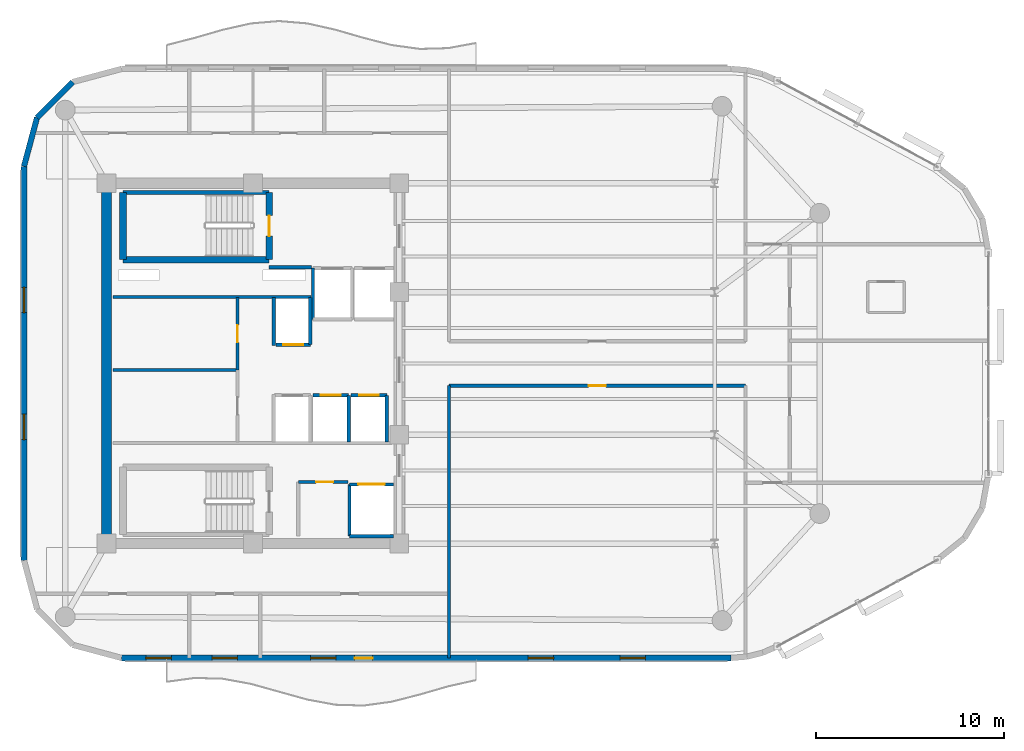
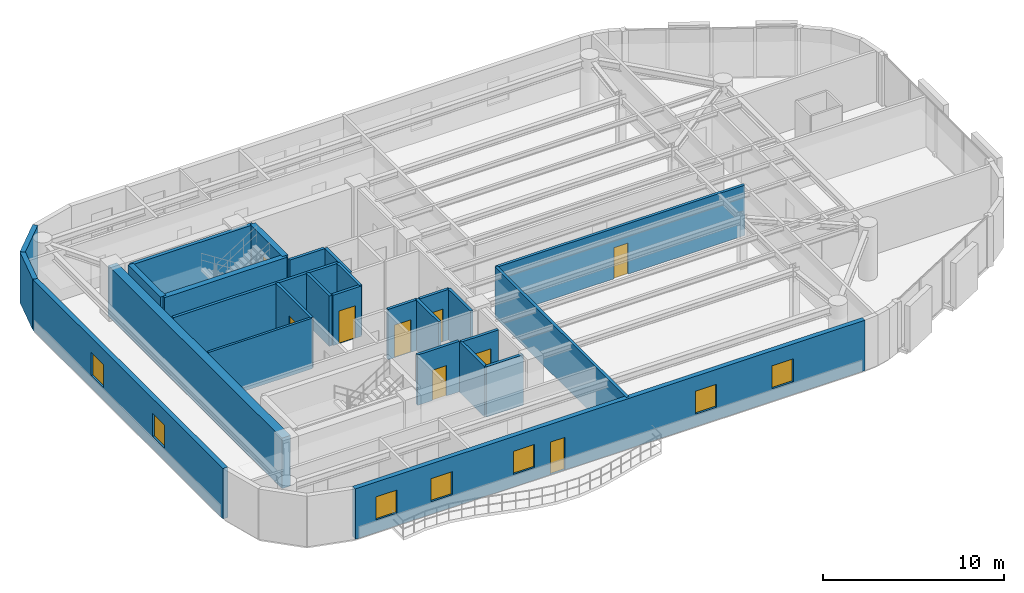
# One storey, part 9 of 13: 27 walls, 9 doors, 7 windows, 16 openings.
"""IFC4 building model written with IfcOpenShell, lengths in metres."""

from ifc_helpers import new_model, si_unit, direction, frame, frame_2d, origin, place, context, subcontext, project, spatial, rectangle, extrude, material, layer, layer_set, type_object, element, fill, save


model = new_model("IFC4")

# Units and contexts
model_context = context("Model", 3, precision=1e-05, world=origin(), true_north=direction((0.0, 1.0)))
body_context = subcontext(model_context, "Body", "Model", "MODEL_VIEW")
ifc_project = project(units=[si_unit("LENGTHUNIT", "METRE"), si_unit("AREAUNIT", "SQUARE_METRE"), si_unit("VOLUMEUNIT", "CUBIC_METRE"), si_unit("PLANEANGLEUNIT", "RADIAN"), si_unit("MASSUNIT", "GRAM", prefix="KILO")], contexts=[model_context])

# Site, building, storey
site_placement = place(None, origin())
site = spatial("IfcSite", under=ifc_project, at=site_placement, CompositionType="ELEMENT")
building_placement = place(site_placement, origin())
building = spatial("IfcBuilding", under=site, at=building_placement, Name="An Khanh Terracotta Commons", CompositionType="ELEMENT")
storey_placement = place(building_placement, frame((0.0, 0.0, 226.5)))
storey = spatial("IfcBuildingStorey", under=building, at=storey_placement, Name="L59", CompositionType="ELEMENT", Elevation=226.5)

# Walls
ifc_material_1 = material(Name="Concrete C50/60", Category="concrete")
ifc_layer_1 = layer(ifc_material_1, 0.550048828125, Name="Concrete C50/60")
ifc_layer_set_1 = layer_set([ifc_layer_1], Name="Concrete C50/60")
wall_type_1 = type_object("IfcWallType", Name="WALL-CORE-550", PredefinedType="SHEAR", material=ifc_layer_set_1)
wall_1_placement = place(storey_placement, frame((21.60009765625, 14.39990234375, 0.0), z_axis=(0.0, 0.0, 1.0), x_axis=(0.0, 1.0, 0.0)))
element("IfcWall", 1, at=wall_1_placement, inside=storey, type_object=wall_type_1, Name="L59 Core Wall CWALL-L59-W", PredefinedType="SHEAR", context=body_context, shape_type="SweptSolid", body=[
    extrude(rectangle(XDim=19.2001953125, YDim=0.550048828125, at=frame_2d((9.60009765625, 0.0))), origin(), (0.0, 0.0, 1.0), 3.39990234375),
])
ifc_material_2 = material(Name="Fire-Rated Gypsum Board on Steel Stud", Category="steel")
ifc_layer_2 = layer(ifc_material_2, 0.179931640625, Name="Fire-Rated Gypsum Board on Steel Stud")
ifc_layer_set_2 = layer_set([ifc_layer_2], Name="Fire-Rated Gypsum Board on Steel Stud")
wall_type_2 = type_object("IfcWallType", Name="WALL-CORR-180", PredefinedType="PARTITIONING", material=ifc_layer_set_2)
wall_2_placement = place(storey_placement, frame((30.27001953125, 29.1201171875, 0.0), z_axis=(0.0, 0.0, 1.0), x_axis=(1.0, 0.0, 0.0)))
element("IfcWall", 2, at=wall_2_placement, inside=storey, type_object=wall_type_2, Name="L59 Core Wall FFLW-L59-S", PredefinedType="PARTITIONING", context=body_context, shape_type="SweptSolid", body=[
    extrude(rectangle(XDim=2.239990234375, YDim=0.179931640625, at=frame_2d((1.1201171875, 0.0))), origin(), (0.0, 0.0, 1.0), 3.39990234375),
])
wall_3_placement = place(storey_placement, frame((21.949951171875, 27.5400390625, 0.0), z_axis=(0.0, 0.0, 1.0), x_axis=(1.0, 0.0, 0.0)))
element("IfcWall", 3, at=wall_3_placement, inside=storey, type_object=wall_type_2, Name="L59 Core Wall RSRW-L59-S", PredefinedType="PARTITIONING", context=body_context, shape_type="SweptSolid", body=[
    extrude(rectangle(XDim=10.56005859375, YDim=0.179931640625, at=frame_2d((5.280029296875, 0.0))), origin(), (0.0, 0.0, 1.0), 3.39990234375),
])

# Wall, opening, door
wall_4_placement = place(storey_placement, frame((31.820068359375, 17.679931640625, 0.0), z_axis=(0.0, 0.0, 1.0), x_axis=(1.0, 0.0, 0.0)))
wall_4 = element("IfcWall", 4, at=wall_4_placement, inside=storey, type_object=wall_type_2, Name="L59 Core Wall SSVCW-L59-N", PredefinedType="PARTITIONING", context=body_context, shape_type="SweptSolid", body=[
    extrude(rectangle(XDim=2.659912109375, YDim=0.179931640625, at=frame_2d((1.330078125, 0.0))), origin(), (0.0, 0.0, 1.0), 3.39990234375),
])
opening_1_placement = place(wall_4_placement, frame((0.949951171875, 0.0, 0.0)))
opening_1 = element("IfcOpeningElement", 5, at=opening_1_placement, cuts=wall_4, Name="Opening D-SV", PredefinedType="OPENING", context=body_context, shape_type="SweptSolid", body=[
    extrude(rectangle(XDim=0.89990234375, YDim=2.050048828125, at=frame_2d((0.449951171875, 1.02490234375))), frame((0.0, 0.099853515625, 0.0), z_axis=(0.0, -1.0, 0.0), x_axis=(1.0, 0.0, 0.0)), (0.0, 0.0, 1.0), 0.199951171875),
])
ifc_material_3 = material(Name="Fire-Rated Powder-Coated Steel Door", Category="steel")
door_type_1 = type_object("IfcDoorType", Name="DOOR-SERV-900", OperationType="NOTDEFINED", PredefinedType="DOOR", material=ifc_material_3)
door_1_placement = place(opening_1_placement, origin())
door_1 = element("IfcDoor", 6, at=door_1_placement, inside=storey, type_object=door_type_1, Name="L59 Electrical Switch Cupboard Door", OperationType="SINGLE_SWING_LEFT", OverallHeight=2.050048828125, OverallWidth=0.89990234375, PredefinedType="DOOR", context=body_context, shape_type="SweptSolid", body=[
    extrude(rectangle(XDim=0.89990234375, YDim=2.050048828125, at=frame_2d((0.449951171875, 1.02490234375))), frame((0.0, 0.02490234375, 0.0), z_axis=(0.0, -1.0, 0.0), x_axis=(1.0, 0.0, 0.0)), (0.0, 0.0, 1.0), 0.050048828125),
])
fill(opening_1, door_1)

# Wall
wall_5_placement = place(storey_placement, frame((32.60009765625, 29.080078125, 0.0), z_axis=(0.0, 0.0, 1.0), x_axis=(0.0, -1.0, 0.0)))
element("IfcWall", 7, at=wall_5_placement, inside=storey, type_object=wall_type_2, Name="L59 Core Wall LSH-L59-FFL-01-W", PredefinedType="PARTITIONING", context=body_context, shape_type="SweptSolid", body=[
    extrude(rectangle(XDim=2.72998046875, YDim=0.179931640625, at=frame_2d((1.364990234375, 0.0))), origin(), (0.0, 0.0, 1.0), 3.39990234375),
])

# Wall, opening, door
wall_6_placement = place(storey_placement, frame((34.550048828125, 17.550048828125, 0.0), z_axis=(0.0, 0.0, 1.0), x_axis=(1.0, 0.0, 0.0)))
wall_6 = element("IfcWall", 8, at=wall_6_placement, inside=storey, type_object=wall_type_2, Name="L59 Core Wall LSH-L59-SVL-01-N", PredefinedType="PARTITIONING", context=body_context, shape_type="SweptSolid", body=[
    extrude(rectangle(XDim=2.349853515625, YDim=0.179931640625, at=frame_2d((1.1748046875, 0.0))), origin(), (0.0, 0.0, 1.0), 3.39990234375),
])
opening_2_placement = place(wall_6_placement, frame((0.47509765625, 0.0, 0.0)))
opening_2 = element("IfcOpeningElement", 9, at=opening_2_placement, cuts=wall_6, Name="Opening LD-SVL-01-L59", PredefinedType="OPENING", context=body_context, shape_type="SweptSolid", body=[
    extrude(rectangle(XDim=1.39990234375, YDim=2.300048828125, at=frame_2d((0.699951171875, 1.14990234375))), frame((0.0, 0.099853515625, 0.0), z_axis=(0.0, -1.0, 0.0), x_axis=(1.0, 0.0, 0.0)), (0.0, 0.0, 1.0), 0.199951171875),
])
ifc_material_4 = material(Name="Heavy-Duty Stainless Steel Goods Landing Door", Category="steel")
door_type_2 = type_object("IfcDoorType", Name="DOOR-LD-SVL-1400", OperationType="NOTDEFINED", PredefinedType="DOOR", material=ifc_material_4)
door_2_placement = place(opening_2_placement, origin())
door_2 = element("IfcDoor", 10, at=door_2_placement, inside=storey, type_object=door_type_2, Name="L59 Lift SVL-01 Sliding Landing Door", OperationType="DOUBLE_DOOR_SLIDING", OverallHeight=2.300048828125, OverallWidth=1.39990234375, PredefinedType="DOOR", context=body_context, shape_type="SweptSolid", body=[
    extrude(rectangle(XDim=1.39990234375, YDim=2.300048828125, at=frame_2d((0.699951171875, 1.14990234375))), frame((0.0, 0.02490234375, 0.0), z_axis=(0.0, -1.0, 0.0), x_axis=(1.0, 0.0, 0.0)), (0.0, 0.0, 1.0), 0.050048828125),
])
fill(opening_2, door_2)

# Walls
wall_7_placement = place(storey_placement, frame((36.89990234375, 14.800048828125, 0.0), z_axis=(0.0, 0.0, 1.0), x_axis=(-1.0, 0.0, 0.0)))
element("IfcWall", 11, at=wall_7_placement, inside=storey, type_object=wall_type_2, Name="L59 Core Wall LSH-L59-SVL-01-S", PredefinedType="PARTITIONING", context=body_context, shape_type="SweptSolid", body=[
    extrude(rectangle(XDim=2.349853515625, YDim=0.179931640625, at=frame_2d((1.1748046875, 0.0))), origin(), (0.0, 0.0, 1.0), 3.39990234375),
])
wall_8_placement = place(storey_placement, frame((34.550048828125, 17.550048828125, 0.0), z_axis=(0.0, 0.0, 1.0), x_axis=(0.0, -1.0, 0.0)))
element("IfcWall", 12, at=wall_8_placement, inside=storey, type_object=wall_type_2, Name="L59 Core Wall LSH-L59-SVL-01-W", PredefinedType="PARTITIONING", context=body_context, shape_type="SweptSolid", body=[
    extrude(rectangle(XDim=2.75, YDim=0.179931640625, at=frame_2d((1.375, 0.0))), origin(), (0.0, 0.0, 1.0), 3.39990234375),
])

# Wall, opening, door
wall_9_placement = place(storey_placement, frame((32.4599609375, 25.0, 0.0), z_axis=(0.0, 0.0, 1.0), x_axis=(-1.0, 0.0, 0.0)))
wall_9 = element("IfcWall", 13, at=wall_9_placement, inside=storey, type_object=wall_type_2, Name="L59 Core Wall LSH-L59-PL-H1-S", PredefinedType="PARTITIONING", context=body_context, shape_type="SweptSolid", body=[
    extrude(rectangle(XDim=1.820068359375, YDim=0.179931640625, at=frame_2d((0.91015625, 0.0))), origin(), (0.0, 0.0, 1.0), 3.39990234375),
])
opening_3_placement = place(wall_9_placement, frame((0.385009765625, 0.0, 0.0)))
opening_3 = element("IfcOpeningElement", 14, at=opening_3_placement, cuts=wall_9, Name="Opening LD-PL-H1-L59", PredefinedType="OPENING", context=body_context, shape_type="SweptSolid", body=[
    extrude(rectangle(XDim=1.050048828125, YDim=2.199951171875, at=frame_2d((0.52490234375, 1.10009765625))), frame((0.0, 0.099853515625, 0.0), z_axis=(0.0, -1.0, 0.0), x_axis=(1.0, 0.0, 0.0)), (0.0, 0.0, 1.0), 0.199951171875),
])
ifc_material_5 = material(Name="Brushed Stainless Steel High-Rise Landing Door", Category="steel")
door_type_3 = type_object("IfcDoorType", Name="DOOR-LD-PAXH-1050", OperationType="NOTDEFINED", PredefinedType="DOOR", material=ifc_material_5)
door_3_placement = place(opening_3_placement, origin())
door_3 = element("IfcDoor", 15, at=door_3_placement, inside=storey, type_object=door_type_3, Name="L59 Lift PL-H1 Sliding Landing Door", OperationType="DOUBLE_DOOR_SLIDING", OverallHeight=2.199951171875, OverallWidth=1.050048828125, PredefinedType="DOOR", context=body_context, shape_type="SweptSolid", body=[
    extrude(rectangle(XDim=1.050048828125, YDim=2.199951171875, at=frame_2d((0.52490234375, 1.10009765625))), frame((0.0, 0.02490234375, 0.0), z_axis=(0.0, -1.0, 0.0), x_axis=(1.0, 0.0, 0.0)), (0.0, 0.0, 1.0), 0.050048828125),
])
fill(opening_3, door_3)

# Wall
wall_10_placement = place(storey_placement, frame((32.4599609375, 25.0, 0.0), z_axis=(0.0, 0.0, 1.0), x_axis=(0.0, 1.0, 0.0)))
element("IfcWall", 16, at=wall_10_placement, inside=storey, type_object=wall_type_2, Name="L59 Core Wall LSH-L59-PL-H1-E", PredefinedType="PARTITIONING", context=body_context, shape_type="SweptSolid", body=[
    extrude(rectangle(XDim=2.5, YDim=0.179931640625, at=frame_2d((1.25, 0.0))), origin(), (0.0, 0.0, 1.0), 3.39990234375),
])

# Wall, opening, door
wall_11_placement = place(storey_placement, frame((32.60009765625, 22.300048828125, 0.0), z_axis=(0.0, 0.0, 1.0), x_axis=(1.0, 0.0, 0.0)))
wall_11 = element("IfcWall", 17, at=wall_11_placement, inside=storey, type_object=wall_type_2, Name="L59 Core Wall LSH-L59-PL-H3-N", PredefinedType="PARTITIONING", context=body_context, shape_type="SweptSolid", body=[
    extrude(rectangle(XDim=1.89990234375, YDim=0.179931640625, at=frame_2d((0.949951171875, 0.0))), origin(), (0.0, 0.0, 1.0), 3.39990234375),
])
opening_4_placement = place(wall_11_placement, frame((0.425048828125, 0.0, 0.0)))
opening_4 = element("IfcOpeningElement", 18, at=opening_4_placement, cuts=wall_11, Name="Opening LD-PL-H3-L59", PredefinedType="OPENING", context=body_context, shape_type="SweptSolid", body=[
    extrude(rectangle(XDim=1.050048828125, YDim=2.199951171875, at=frame_2d((0.52490234375, 1.10009765625))), frame((0.0, 0.099853515625, 0.0), z_axis=(0.0, -1.0, 0.0), x_axis=(1.0, 0.0, 0.0)), (0.0, 0.0, 1.0), 0.199951171875),
])
door_4_placement = place(opening_4_placement, origin())
door_4 = element("IfcDoor", 19, at=door_4_placement, inside=storey, type_object=door_type_3, Name="L59 Lift PL-H3 Sliding Landing Door", OperationType="DOUBLE_DOOR_SLIDING", OverallHeight=2.199951171875, OverallWidth=1.050048828125, PredefinedType="DOOR", context=body_context, shape_type="SweptSolid", body=[
    extrude(rectangle(XDim=1.050048828125, YDim=2.199951171875, at=frame_2d((0.52490234375, 1.10009765625))), frame((0.0, 0.02490234375, 0.0), z_axis=(0.0, -1.0, 0.0), x_axis=(1.0, 0.0, 0.0)), (0.0, 0.0, 1.0), 0.050048828125),
])
fill(opening_4, door_4)

# Wall
wall_12_placement = place(storey_placement, frame((34.5, 19.800048828125, 0.0), z_axis=(0.0, 0.0, 1.0), x_axis=(0.0, 1.0, 0.0)))
element("IfcWall", 20, at=wall_12_placement, inside=storey, type_object=wall_type_2, Name="L59 Core Wall LSH-L59-PL-H3-E", PredefinedType="PARTITIONING", context=body_context, shape_type="SweptSolid", body=[
    extrude(rectangle(XDim=2.5, YDim=0.179931640625, at=frame_2d((1.25, 0.0))), origin(), (0.0, 0.0, 1.0), 3.39990234375),
])

# Wall, opening, door
wall_13_placement = place(storey_placement, frame((34.639892578125, 22.300048828125, 0.0), z_axis=(0.0, 0.0, 1.0), x_axis=(1.0, 0.0, 0.0)))
wall_13 = element("IfcWall", 21, at=wall_13_placement, inside=storey, type_object=wall_type_2, Name="L59 Core Wall LSH-L59-PL-H4-N", PredefinedType="PARTITIONING", context=body_context, shape_type="SweptSolid", body=[
    extrude(rectangle(XDim=1.900146484375, YDim=0.179931640625, at=frame_2d((0.9501953125, 0.0))), origin(), (0.0, 0.0, 1.0), 3.39990234375),
])
opening_5_placement = place(wall_13_placement, frame((0.425048828125, 0.0, 0.0)))
opening_5 = element("IfcOpeningElement", 22, at=opening_5_placement, cuts=wall_13, Name="Opening LD-PL-H4-L59", PredefinedType="OPENING", context=body_context, shape_type="SweptSolid", body=[
    extrude(rectangle(XDim=1.050048828125, YDim=2.199951171875, at=frame_2d((0.52490234375, 1.10009765625))), frame((0.0, 0.099853515625, 0.0), z_axis=(0.0, -1.0, 0.0), x_axis=(1.0, 0.0, 0.0)), (0.0, 0.0, 1.0), 0.199951171875),
])
door_5_placement = place(opening_5_placement, origin())
door_5 = element("IfcDoor", 23, at=door_5_placement, inside=storey, type_object=door_type_3, Name="L59 Lift PL-H4 Sliding Landing Door", OperationType="DOUBLE_DOOR_SLIDING", OverallHeight=2.199951171875, OverallWidth=1.050048828125, PredefinedType="DOOR", context=body_context, shape_type="SweptSolid", body=[
    extrude(rectangle(XDim=1.050048828125, YDim=2.199951171875, at=frame_2d((0.52490234375, 1.10009765625))), frame((0.0, 0.02490234375, 0.0), z_axis=(0.0, -1.0, 0.0), x_axis=(1.0, 0.0, 0.0)), (0.0, 0.0, 1.0), 0.050048828125),
])
fill(opening_5, door_5)

# Walls
wall_14_placement = place(storey_placement, frame((36.5400390625, 19.800048828125, 0.0), z_axis=(0.0, 0.0, 1.0), x_axis=(0.0, 1.0, 0.0)))
element("IfcWall", 24, at=wall_14_placement, inside=storey, type_object=wall_type_2, Name="L59 Core Wall LSH-L59-PL-H4-E", PredefinedType="PARTITIONING", context=body_context, shape_type="SweptSolid", body=[
    extrude(rectangle(XDim=2.5, YDim=0.179931640625, at=frame_2d((1.25, 0.0))), origin(), (0.0, 0.0, 1.0), 3.39990234375),
])
wall_15_placement = place(storey_placement, frame((30.52001953125, 24.949951171875, 0.0), z_axis=(0.0, 0.0, 1.0), x_axis=(0.0, 1.0, 0.0)))
element("IfcWall", 25, at=wall_15_placement, inside=storey, type_object=wall_type_2, Name="L59 Core Wall RECW-L59-BE1", PredefinedType="PARTITIONING", context=body_context, shape_type="SweptSolid", body=[
    extrude(rectangle(XDim=2.550048828125, YDim=0.179931640625, at=frame_2d((1.27490234375, 0.0))), origin(), (0.0, 0.0, 1.0), 3.39990234375),
])

# Wall, opening, door
wall_16_placement = place(storey_placement, frame((28.580078125, 23.64990234375, 0.0), z_axis=(0.0, 0.0, 1.0), x_axis=(0.0, 1.0, 0.0)))
wall_16 = element("IfcWall", 26, at=wall_16_placement, inside=storey, type_object=wall_type_2, Name="L59 Core Wall RECW-L59-E1", PredefinedType="PARTITIONING", context=body_context, shape_type="SweptSolid", body=[
    extrude(rectangle(XDim=3.85009765625, YDim=0.179931640625, at=frame_2d((1.925048828125, 0.0))), origin(), (0.0, 0.0, 1.0), 3.39990234375),
])
opening_6_placement = place(wall_16_placement, frame((1.465087890625, 0.0, 0.0)))
opening_6 = element("IfcOpeningElement", 27, at=opening_6_placement, cuts=wall_16, Name="Opening D-RM", PredefinedType="OPENING", context=body_context, shape_type="SweptSolid", body=[
    extrude(rectangle(XDim=0.919921875, YDim=2.10009765625, at=frame_2d((0.4599609375, 1.050048828125))), frame((0.0, 0.099853515625, 0.0), z_axis=(0.0, -1.0, 0.0), x_axis=(1.0, 0.0, 0.0)), (0.0, 0.0, 1.0), 0.199951171875),
])
ifc_material_6 = material(Name="Engineered Hardwood Timber Leaf", Category="wood")
door_type_4 = type_object("IfcDoorType", Name="DOOR-INT-920", OperationType="NOTDEFINED", PredefinedType="DOOR", material=ifc_material_6)
door_6_placement = place(opening_6_placement, origin())
door_6 = element("IfcDoor", 28, at=door_6_placement, inside=storey, type_object=door_type_4, Name="L59 Communal Laundry Room Door", OperationType="SINGLE_SWING_RIGHT", OverallHeight=2.10009765625, OverallWidth=0.919921875, PredefinedType="DOOR", context=body_context, shape_type="SweptSolid", body=[
    extrude(rectangle(XDim=0.919921875, YDim=2.10009765625, at=frame_2d((0.4599609375, 1.050048828125))), frame((0.0, 0.02490234375, 0.0), z_axis=(0.0, -1.0, 0.0), x_axis=(1.0, 0.0, 0.0)), (0.0, 0.0, 1.0), 0.050048828125),
])
fill(opening_6, door_6)

wall_17_placement = place(storey_placement, frame((39.85009765625, 22.820068359375, 0.0), z_axis=(0.0, 0.0, 1.0), x_axis=(1.0, 0.0, 0.0)))
wall_17 = element("IfcWall", 29, at=wall_17_placement, inside=storey, type_object=wall_type_2, Name="L59 Interior Partition IW-L59-E003", PredefinedType="PARTITIONING", context=body_context, shape_type="SweptSolid", body=[
    extrude(rectangle(XDim=15.7998046875, YDim=0.179931640625, at=frame_2d((7.89990234375, 0.0))), origin(), (0.0, 0.0, 1.0), 3.39990234375),
])
opening_7_placement = place(wall_17_placement, frame((7.43994140625, 0.0, 0.0)))
opening_7 = element("IfcOpeningElement", 30, at=opening_7_placement, cuts=wall_17, Name="Opening D-RM", PredefinedType="OPENING", context=body_context, shape_type="SweptSolid", body=[
    extrude(rectangle(XDim=0.919921875, YDim=2.10009765625, at=frame_2d((0.4599609375, 1.050048828125))), frame((0.0, 0.099853515625, 0.0), z_axis=(0.0, -1.0, 0.0), x_axis=(1.0, 0.0, 0.0)), (0.0, 0.0, 1.0), 0.199951171875),
])
door_7_placement = place(opening_7_placement, origin())
door_7 = element("IfcDoor", 31, at=door_7_placement, inside=storey, type_object=door_type_4, Name="L59 SB1 Riverfront Reading Hall Door", OperationType="SINGLE_SWING_LEFT", OverallHeight=2.10009765625, OverallWidth=0.919921875, PredefinedType="DOOR", context=body_context, shape_type="SweptSolid", body=[
    extrude(rectangle(XDim=0.919921875, YDim=2.10009765625, at=frame_2d((0.4599609375, 1.050048828125))), frame((0.0, 0.02490234375, 0.0), z_axis=(0.0, -1.0, 0.0), x_axis=(1.0, 0.0, 0.0)), (0.0, 0.0, 1.0), 0.050048828125),
])
fill(opening_7, door_7)

# Wall
wall_18_placement = place(storey_placement, frame((39.85009765625, 8.300048828125, 0.0), z_axis=(0.0, 0.0, 1.0), x_axis=(0.0, 1.0, 0.0)))
element("IfcWall", 32, at=wall_18_placement, inside=storey, type_object=wall_type_2, Name="L59 Interior Partition IW-L59-E013", PredefinedType="PARTITIONING", context=body_context, shape_type="SweptSolid", body=[
    extrude(rectangle(XDim=14.52001953125, YDim=0.179931640625, at=frame_2d((7.260009765625, 0.0))), origin(), (0.0, 0.0, 1.0), 3.39990234375),
])

# Wall, openings, door, windows
ifc_material_7 = material(Name="Precast concrete C40/50", Category="concrete")
ifc_layer_3 = layer(ifc_material_7, 0.300048828125, Name="Precast concrete C40/50")
ifc_layer_set_3 = layer_set([ifc_layer_3], Name="Precast concrete C40/50")
wall_type_3 = type_object("IfcWallType", Name="WALL-EXT-300", PredefinedType="SOLIDWALL", material=ifc_layer_set_3)
wall_19_placement = place(storey_placement, frame((22.39990234375, 8.300048828125, 0.0), z_axis=(0.0, 0.0, 1.0), x_axis=(1.0, 0.0, 0.0)))
wall_19 = element("IfcWall", 33, at=wall_19_placement, inside=storey, type_object=wall_type_3, Name="L59 Insulated Terracotta Exterior Wall 4", PredefinedType="SOLIDWALL", context=body_context, shape_type="SweptSolid", body=[
    extrude(rectangle(XDim=32.485107421875, YDim=0.300048828125, at=frame_2d((16.24267578125, 0.0))), origin(), (0.0, 0.0, 1.0), 3.39990234375),
])
opening_8_placement = place(wall_19_placement, frame((12.425048828125, 0.0, 0.0)))
opening_8 = element("IfcOpeningElement", 34, at=opening_8_placement, cuts=wall_19, Name="Opening D-BAL", PredefinedType="OPENING", context=body_context, shape_type="SweptSolid", body=[
    extrude(rectangle(XDim=0.949951171875, YDim=2.199951171875, at=frame_2d((0.47509765625, 1.10009765625))), frame((0.0, 0.159912109375, 0.0), z_axis=(0.0, -1.0, 0.0), x_axis=(1.0, 0.0, 0.0)), (0.0, 0.0, 1.0), 0.320068359375),
])
opening_9_placement = place(wall_19_placement, frame((1.300048828125, 0.0, 0.85009765625)))
opening_9 = element("IfcOpeningElement", 35, at=opening_9_placement, cuts=wall_19, Name="Opening W-04", PredefinedType="OPENING", context=body_context, shape_type="SweptSolid", body=[
    extrude(rectangle(XDim=1.35009765625, YDim=1.550048828125, at=frame_2d((0.675048828125, 0.77490234375))), frame((0.0, 0.159912109375, 0.0), z_axis=(0.0, -1.0, 0.0), x_axis=(1.0, 0.0, 0.0)), (0.0, 0.0, 1.0), 0.320068359375),
])
opening_10_placement = place(wall_19_placement, frame((4.824951171875, 0.0, 0.85009765625)))
opening_10 = element("IfcOpeningElement", 36, at=opening_10_placement, cuts=wall_19, Name="Opening W-04", PredefinedType="OPENING", context=body_context, shape_type="SweptSolid", body=[
    extrude(rectangle(XDim=1.35009765625, YDim=1.550048828125, at=frame_2d((0.675048828125, 0.77490234375))), frame((0.0, 0.159912109375, 0.0), z_axis=(0.0, -1.0, 0.0), x_axis=(1.0, 0.0, 0.0)), (0.0, 0.0, 1.0), 0.320068359375),
])
opening_11_placement = place(wall_19_placement, frame((10.074951171875, 0.0, 0.85009765625)))
opening_11 = element("IfcOpeningElement", 37, at=opening_11_placement, cuts=wall_19, Name="Opening W-04", PredefinedType="OPENING", context=body_context, shape_type="SweptSolid", body=[
    extrude(rectangle(XDim=1.35009765625, YDim=1.550048828125, at=frame_2d((0.675048828125, 0.77490234375))), frame((0.0, 0.159912109375, 0.0), z_axis=(0.0, -1.0, 0.0), x_axis=(1.0, 0.0, 0.0)), (0.0, 0.0, 1.0), 0.320068359375),
])
opening_12_placement = place(wall_19_placement, frame((21.669921875, 0.0, 0.85009765625)))
opening_12 = element("IfcOpeningElement", 38, at=opening_12_placement, cuts=wall_19, Name="Opening W-04", PredefinedType="OPENING", context=body_context, shape_type="SweptSolid", body=[
    extrude(rectangle(XDim=1.35009765625, YDim=1.550048828125, at=frame_2d((0.675048828125, 0.77490234375))), frame((0.0, 0.159912109375, 0.0), z_axis=(0.0, -1.0, 0.0), x_axis=(1.0, 0.0, 0.0)), (0.0, 0.0, 1.0), 0.320068359375),
])
opening_13_placement = place(wall_19_placement, frame((26.56494140625, 0.0, 0.85009765625)))
opening_13 = element("IfcOpeningElement", 39, at=opening_13_placement, cuts=wall_19, Name="Opening W-04", PredefinedType="OPENING", context=body_context, shape_type="SweptSolid", body=[
    extrude(rectangle(XDim=1.35009765625, YDim=1.550048828125, at=frame_2d((0.675048828125, 0.77490234375))), frame((0.0, 0.159912109375, 0.0), z_axis=(0.0, -1.0, 0.0), x_axis=(1.0, 0.0, 0.0)), (0.0, 0.0, 1.0), 0.320068359375),
])
ifc_material_8 = material(Name="Thermally Broken Aluminium and Low-E Glass", Category="aluminium")
door_type_5 = type_object("IfcDoorType", Name="DOOR-BALC-950", OperationType="NOTDEFINED", PredefinedType="DOOR", material=ifc_material_8)
door_8_placement = place(opening_8_placement, origin())
door_8 = element("IfcDoor", 40, at=door_8_placement, inside=storey, type_object=door_type_5, Name="L59 S Wave Balcony Glazed Door", OperationType="SINGLE_SWING_LEFT", OverallHeight=2.199951171875, OverallWidth=0.949951171875, PredefinedType="DOOR", context=body_context, shape_type="SweptSolid", body=[
    extrude(rectangle(XDim=0.949951171875, YDim=2.199951171875, at=frame_2d((0.47509765625, 1.10009765625))), frame((0.0, 0.02490234375, 0.0), z_axis=(0.0, -1.0, 0.0), x_axis=(1.0, 0.0, 0.0)), (0.0, 0.0, 1.0), 0.050048828125),
])
fill(opening_8, door_8)
window_type = type_object("IfcWindowType", Name="WIN-Z4-1350x1550", PartitioningType="SINGLE_PANEL", PredefinedType="WINDOW", material=ifc_material_8)
window_1_placement = place(opening_9_placement, origin())
window_1 = element("IfcWindow", 41, at=window_1_placement, inside=storey, type_object=window_type, Name="L59 Operable Casement Window 4.1", OverallHeight=1.550048828125, OverallWidth=1.35009765625, PartitioningType="SINGLE_PANEL", PredefinedType="WINDOW", context=body_context, shape_type="SweptSolid", body=[
    extrude(rectangle(XDim=1.35009765625, YDim=1.550048828125, at=frame_2d((0.675048828125, 0.77490234375))), frame((0.0, 0.030029296875, 0.0), z_axis=(0.0, -1.0, 0.0), x_axis=(1.0, 0.0, 0.0)), (0.0, 0.0, 1.0), 0.06005859375),
])
fill(opening_9, window_1)
window_2_placement = place(opening_10_placement, origin())
window_2 = element("IfcWindow", 42, at=window_2_placement, inside=storey, type_object=window_type, Name="L59 Operable Casement Window 4.2", OverallHeight=1.550048828125, OverallWidth=1.35009765625, PartitioningType="SINGLE_PANEL", PredefinedType="WINDOW", context=body_context, shape_type="SweptSolid", body=[
    extrude(rectangle(XDim=1.35009765625, YDim=1.550048828125, at=frame_2d((0.675048828125, 0.77490234375))), frame((0.0, 0.030029296875, 0.0), z_axis=(0.0, -1.0, 0.0), x_axis=(1.0, 0.0, 0.0)), (0.0, 0.0, 1.0), 0.06005859375),
])
fill(opening_10, window_2)
window_3_placement = place(opening_11_placement, origin())
window_3 = element("IfcWindow", 43, at=window_3_placement, inside=storey, type_object=window_type, Name="L59 Operable Casement Window 4.3", OverallHeight=1.550048828125, OverallWidth=1.35009765625, PartitioningType="SINGLE_PANEL", PredefinedType="WINDOW", context=body_context, shape_type="SweptSolid", body=[
    extrude(rectangle(XDim=1.35009765625, YDim=1.550048828125, at=frame_2d((0.675048828125, 0.77490234375))), frame((0.0, 0.030029296875, 0.0), z_axis=(0.0, -1.0, 0.0), x_axis=(1.0, 0.0, 0.0)), (0.0, 0.0, 1.0), 0.06005859375),
])
fill(opening_11, window_3)
window_4_placement = place(opening_12_placement, origin())
window_4 = element("IfcWindow", 44, at=window_4_placement, inside=storey, type_object=window_type, Name="L59 Operable Casement Window 4.4", OverallHeight=1.550048828125, OverallWidth=1.35009765625, PartitioningType="SINGLE_PANEL", PredefinedType="WINDOW", context=body_context, shape_type="SweptSolid", body=[
    extrude(rectangle(XDim=1.35009765625, YDim=1.550048828125, at=frame_2d((0.675048828125, 0.77490234375))), frame((0.0, 0.030029296875, 0.0), z_axis=(0.0, -1.0, 0.0), x_axis=(1.0, 0.0, 0.0)), (0.0, 0.0, 1.0), 0.06005859375),
])
fill(opening_12, window_4)
window_5_placement = place(opening_13_placement, origin())
window_5 = element("IfcWindow", 45, at=window_5_placement, inside=storey, type_object=window_type, Name="L59 Operable Casement Window 4.5", OverallHeight=1.550048828125, OverallWidth=1.35009765625, PartitioningType="SINGLE_PANEL", PredefinedType="WINDOW", context=body_context, shape_type="SweptSolid", body=[
    extrude(rectangle(XDim=1.35009765625, YDim=1.550048828125, at=frame_2d((0.675048828125, 0.77490234375))), frame((0.0, 0.030029296875, 0.0), z_axis=(0.0, -1.0, 0.0), x_axis=(1.0, 0.0, 0.0)), (0.0, 0.0, 1.0), 0.06005859375),
])
fill(opening_13, window_5)

# Walls
wall_20_placement = place(storey_placement, frame((19.800048828125, 39.0029296875, 0.0), z_axis=(0.0, 0.0, 1.0), x_axis=(-0.707152139074, -0.70706142039, 0.0)))
element("IfcWall", 46, at=wall_20_placement, inside=storey, type_object=wall_type_3, Name="L59 Insulated Terracotta Exterior Wall 22", PredefinedType="SOLIDWALL", context=body_context, shape_type="SweptSolid", body=[
    extrude(rectangle(XDim=2.691162109375, YDim=0.300048828125, at=frame_2d((1.345703125, 0.0))), origin(), (0.0, 0.0, 1.0), 3.39990234375),
])
wall_21_placement = place(storey_placement, frame((17.89697265625, 37.10009765625, 0.0), z_axis=(0.0, 0.0, 1.0), x_axis=(-0.258932525951, -0.965895412042, 0.0)))
element("IfcWall", 47, at=wall_21_placement, inside=storey, type_object=wall_type_3, Name="L59 Insulated Terracotta Exterior Wall 23", PredefinedType="SOLIDWALL", context=body_context, shape_type="SweptSolid", body=[
    extrude(rectangle(XDim=2.69189453125, YDim=0.300048828125, at=frame_2d((1.345947265625, 0.0))), origin(), (0.0, 0.0, 1.0), 3.39990234375),
])

# Wall, openings, windows
wall_22_placement = place(storey_placement, frame((17.199951171875, 34.5, 0.0), z_axis=(0.0, 0.0, 1.0), x_axis=(0.0, -1.0, 0.0)))
wall_22 = element("IfcWall", 48, at=wall_22_placement, inside=storey, type_object=wall_type_3, Name="L59 Insulated Terracotta Exterior Wall 24", PredefinedType="SOLIDWALL", context=body_context, shape_type="SweptSolid", body=[
    extrude(rectangle(XDim=21.0, YDim=0.300048828125, at=frame_2d((10.5, 0.0))), origin(), (0.0, 0.0, 1.0), 3.39990234375),
])
opening_14_placement = place(wall_22_placement, frame((6.44189453125, 0.0, 0.85009765625)))
opening_14 = element("IfcOpeningElement", 49, at=opening_14_placement, cuts=wall_22, Name="Opening W-04", PredefinedType="OPENING", context=body_context, shape_type="SweptSolid", body=[
    extrude(rectangle(XDim=1.35009765625, YDim=1.550048828125, at=frame_2d((0.675048828125, 0.77490234375))), frame((0.0, 0.159912109375, 0.0), z_axis=(0.0, -1.0, 0.0), x_axis=(1.0, 0.0, 0.0)), (0.0, 0.0, 1.0), 0.320068359375),
])
opening_15_placement = place(wall_22_placement, frame((13.2080078125, 0.0, 0.85009765625)))
opening_15 = element("IfcOpeningElement", 50, at=opening_15_placement, cuts=wall_22, Name="Opening W-04", PredefinedType="OPENING", context=body_context, shape_type="SweptSolid", body=[
    extrude(rectangle(XDim=1.35009765625, YDim=1.550048828125, at=frame_2d((0.675048828125, 0.77490234375))), frame((0.0, 0.159912109375, 0.0), z_axis=(0.0, -1.0, 0.0), x_axis=(1.0, 0.0, 0.0)), (0.0, 0.0, 1.0), 0.320068359375),
])
window_6_placement = place(opening_14_placement, origin())
window_6 = element("IfcWindow", 51, at=window_6_placement, inside=storey, type_object=window_type, Name="L59 Operable Casement Window 24.1", OverallHeight=1.550048828125, OverallWidth=1.35009765625, PartitioningType="SINGLE_PANEL", PredefinedType="WINDOW", context=body_context, shape_type="SweptSolid", body=[
    extrude(rectangle(XDim=1.35009765625, YDim=1.550048828125, at=frame_2d((0.675048828125, 0.77490234375))), frame((0.0, 0.030029296875, 0.0), z_axis=(0.0, -1.0, 0.0), x_axis=(1.0, 0.0, 0.0)), (0.0, 0.0, 1.0), 0.06005859375),
])
fill(opening_14, window_6)
window_7_placement = place(opening_15_placement, origin())
window_7 = element("IfcWindow", 52, at=window_7_placement, inside=storey, type_object=window_type, Name="L59 Operable Casement Window 24.2", OverallHeight=1.550048828125, OverallWidth=1.35009765625, PartitioningType="SINGLE_PANEL", PredefinedType="WINDOW", context=body_context, shape_type="SweptSolid", body=[
    extrude(rectangle(XDim=1.35009765625, YDim=1.550048828125, at=frame_2d((0.675048828125, 0.77490234375))), frame((0.0, 0.030029296875, 0.0), z_axis=(0.0, -1.0, 0.0), x_axis=(1.0, 0.0, 0.0)), (0.0, 0.0, 1.0), 0.06005859375),
])
fill(opening_15, window_7)

# Walls
ifc_material_9 = material(Name="Acoustic Gypsum Board Partition")
ifc_layer_4 = layer(ifc_material_9, 0.14990234375, Name="Acoustic Gypsum Board Partition")
ifc_layer_set_4 = layer_set([ifc_layer_4], Name="Acoustic Gypsum Board Partition")
wall_type_4 = type_object("IfcWallType", Name="WALL-PART-150", PredefinedType="PARTITIONING", material=ifc_layer_set_4)
wall_23_placement = place(storey_placement, frame((21.949951171875, 23.64990234375, 0.0), z_axis=(0.0, 0.0, 1.0), x_axis=(1.0, 0.0, 0.0)))
element("IfcWall", 53, at=wall_23_placement, inside=storey, type_object=wall_type_4, Name="L59 Core Wall RECW-L59-M", PredefinedType="PARTITIONING", context=body_context, shape_type="SweptSolid", body=[
    extrude(rectangle(XDim=6.630126953125, YDim=0.14990234375, at=frame_2d((3.31494140625, 0.0))), origin(), (0.0, 0.0, 1.0), 3.39990234375),
])
ifc_material_10 = material(Name="Acoustic Double-Stud Gypsum and Mineral Wool")
ifc_layer_5 = layer(ifc_material_10, 0.219970703125, Name="Acoustic Double-Stud Gypsum and Mineral Wool")
ifc_layer_set_5 = layer_set([ifc_layer_5], Name="Acoustic Double-Stud Gypsum and Mineral Wool")
wall_type_5 = type_object("IfcWallType", Name="WALL-PARTY-220", PredefinedType="PARTITIONING", material=ifc_layer_set_5)
wall_24_placement = place(storey_placement, frame((22.47998046875, 33.110107421875, 0.0), z_axis=(0.0, 0.0, 1.0), x_axis=(1.0, 0.0, 0.0)))
element("IfcWall", 54, at=wall_24_placement, inside=storey, type_object=wall_type_5, Name="L59 Core Wall STW-L59-N-N", PredefinedType="PARTITIONING", context=body_context, shape_type="SweptSolid", body=[
    extrude(rectangle(XDim=7.7900390625, YDim=0.219970703125, at=frame_2d((3.89501953125, 0.0))), origin(), (0.0, 0.0, 1.0), 3.39990234375),
])
ifc_layer_6 = layer(ifc_material_1, 0.35009765625, Name="Concrete C50/60")
ifc_layer_set_6 = layer_set([ifc_layer_6], Name="Concrete C50/60")
wall_type_6 = type_object("IfcWallType", Name="WALL-SHAFT-350", PredefinedType="SOLIDWALL", material=ifc_layer_set_6)
wall_25_placement = place(storey_placement, frame((22.47998046875, 29.530029296875, 0.0), z_axis=(0.0, 0.0, 1.0), x_axis=(1.0, 0.0, 0.0)))
element("IfcWall", 55, at=wall_25_placement, inside=storey, type_object=wall_type_6, Name="L59 Core Wall STW-L59-N-S", PredefinedType="SOLIDWALL", context=body_context, shape_type="SweptSolid", body=[
    extrude(rectangle(XDim=7.7900390625, YDim=0.35009765625, at=frame_2d((3.89501953125, 0.0))), origin(), (0.0, 0.0, 1.0), 3.39990234375),
])
wall_26_placement = place(storey_placement, frame((22.47998046875, 29.530029296875, 0.0), z_axis=(0.0, 0.0, 1.0), x_axis=(0.0, 1.0, 0.0)))
element("IfcWall", 56, at=wall_26_placement, inside=storey, type_object=wall_type_6, Name="L59 Core Wall STW-L59-N-W", PredefinedType="SOLIDWALL", context=body_context, shape_type="SweptSolid", body=[
    extrude(rectangle(XDim=3.580078125, YDim=0.35009765625, at=frame_2d((1.7900390625, 0.0))), origin(), (0.0, 0.0, 1.0), 3.39990234375),
])

# Wall, opening, door
wall_27_placement = place(storey_placement, frame((30.27001953125, 29.530029296875, 0.0), z_axis=(0.0, 0.0, 1.0), x_axis=(0.0, 1.0, 0.0)))
wall_27 = element("IfcWall", 57, at=wall_27_placement, inside=storey, type_object=wall_type_6, Name="L59 Core Wall STW-L59-N-E", PredefinedType="SOLIDWALL", context=body_context, shape_type="SweptSolid", body=[
    extrude(rectangle(XDim=3.580078125, YDim=0.35009765625, at=frame_2d((1.7900390625, 0.0))), origin(), (0.0, 0.0, 1.0), 3.39990234375),
])
opening_16_placement = place(wall_27_placement, frame((1.25, 0.0, 0.0)))
opening_16 = element("IfcOpeningElement", 58, at=opening_16_placement, cuts=wall_27, Name="Opening D-ST", PredefinedType="OPENING", context=body_context, shape_type="SweptSolid", body=[
    extrude(rectangle(XDim=1.10009765625, YDim=2.14990234375, at=frame_2d((0.550048828125, 1.074951171875))), frame((0.0, 0.18505859375, 0.0), z_axis=(0.0, -1.0, 0.0), x_axis=(1.0, 0.0, 0.0)), (0.0, 0.0, 1.0), 0.3701171875),
])
ifc_material_11 = material(Name="Fire-Rated Steel Leaf and Frame", Category="steel")
door_type_6 = type_object("IfcDoorType", Name="DOOR-STAIR-1100", OperationType="NOTDEFINED", PredefinedType="DOOR", material=ifc_material_11)
door_9_placement = place(opening_16_placement, origin())
door_9 = element("IfcDoor", 59, at=door_9_placement, inside=storey, type_object=door_type_6, Name="L59 Stair ST-01 Fire Door", OperationType="SINGLE_SWING_LEFT", OverallHeight=2.14990234375, OverallWidth=1.10009765625, PredefinedType="DOOR", context=body_context, shape_type="SweptSolid", body=[
    extrude(rectangle(XDim=1.10009765625, YDim=2.14990234375, at=frame_2d((0.550048828125, 1.074951171875))), frame((0.0, 0.02490234375, 0.0), z_axis=(0.0, -1.0, 0.0), x_axis=(1.0, 0.0, 0.0)), (0.0, 0.0, 1.0), 0.050048828125),
])
fill(opening_16, door_9)

save(model, "model.ifc")
